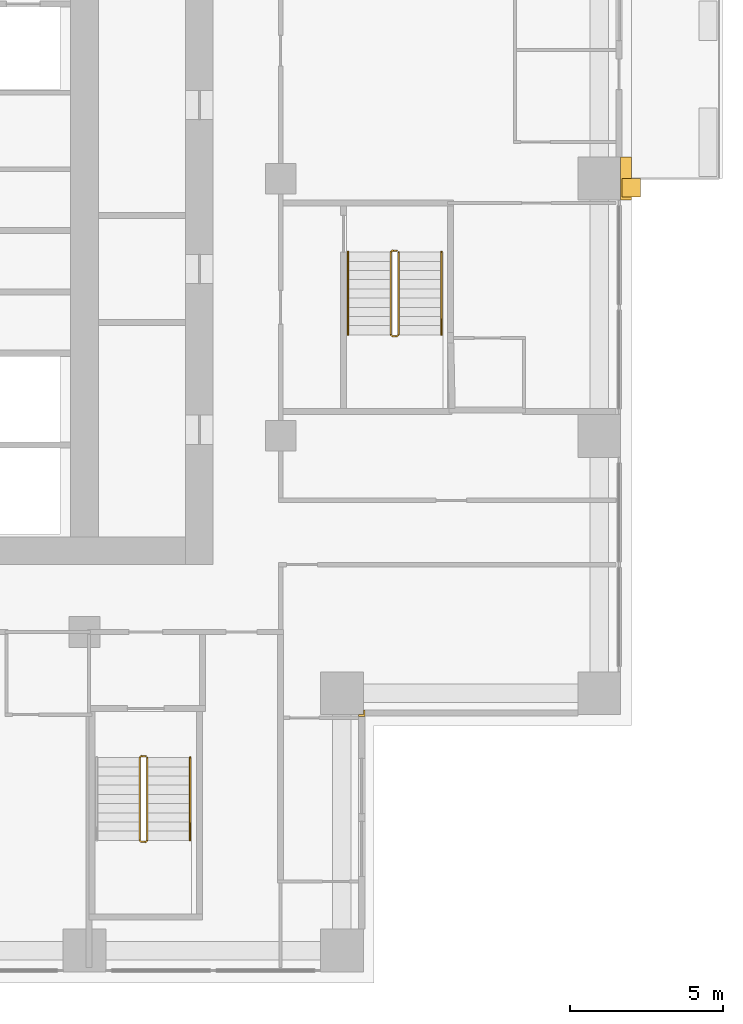
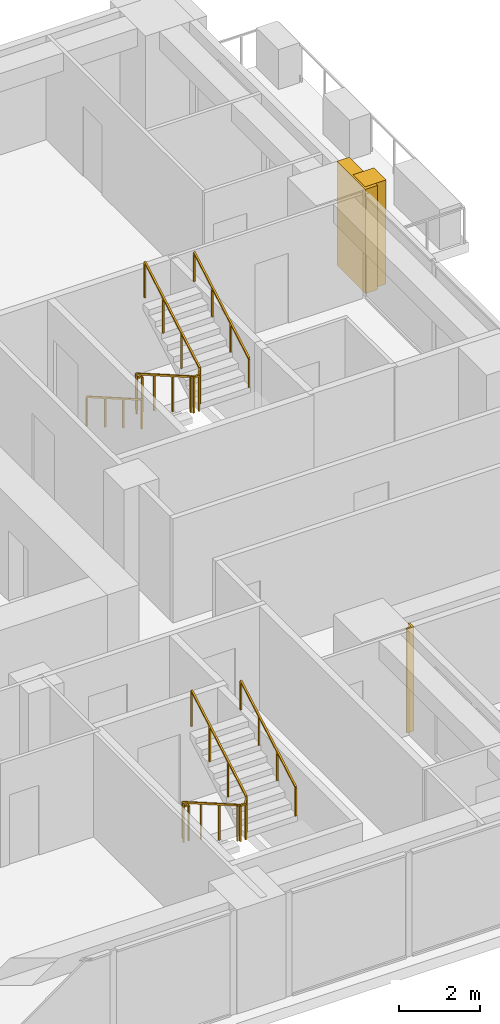
# One storey, part 14 of 16: 5 railings, 3 coverings.
"""IFC4 building model written with IfcOpenShell, lengths in metres."""

from ifc_helpers import new_model, si_unit, direction, frame, origin, origin_2d, place, context, subcontext, project, spatial, polyline, rectangle, outline, extrude, material, type_object, element, save


model = new_model("IFC4")

# Units and contexts
model_context = context("Model", 3, precision=1e-05, world=origin(), true_north=direction((0.0, 1.0)))
body_context = subcontext(model_context, "Body", "Model", "MODEL_VIEW")
ifc_project = project(units=[si_unit("LENGTHUNIT", "METRE"), si_unit("AREAUNIT", "SQUARE_METRE"), si_unit("VOLUMEUNIT", "CUBIC_METRE"), si_unit("PLANEANGLEUNIT", "RADIAN"), si_unit("MASSUNIT", "GRAM", prefix="KILO")], contexts=[model_context])

# Site, building, storey
site_placement = place(None, origin())
site = spatial("IfcSite", under=ifc_project, at=site_placement, CompositionType="ELEMENT")
building_placement = place(site_placement, origin())
building = spatial("IfcBuilding", under=site, at=building_placement, Name="Vermilion Ogive Tower", CompositionType="ELEMENT")
storey_placement = place(building_placement, frame((0.0, 0.0, 41.39990234375)))
storey = spatial("IfcBuildingStorey", under=building, at=storey_placement, Name="L08", CompositionType="ELEMENT", Elevation=41.39990234375)

# Railings
ifc_material_1 = material(Name="Steel S355 painted", Category="steel")
railing_type_1 = type_object("IfcRailingType", Name="Stair guard 1100", PredefinedType="GUARDRAIL", material=ifc_material_1)
railing_1_placement = place(storey_placement, frame((10.39990234375, -14.64990234375, 0.0)))
element("IfcRailing", 1, at=railing_1_placement, inside=storey, type_object=railing_type_1, Name="L08 ST5 stair guard 4", PredefinedType="GUARDRAIL", context=body_context, shape_type="SweptSolid", body=[
    extrude(rectangle(XDim=0.048095703125, YDim=0.048095703125, at=origin_2d()), frame((0.0, 0.0, 1.076171875), z_axis=(-1.0, 0.0, 0.0), x_axis=(0.0, -1.0, 0.0)), (0.0, 0.0, 1.0), 0.14990234375),
    extrude(rectangle(XDim=0.048095703125, YDim=0.048095703125, at=origin_2d()), frame((-0.14990234375, 0.0, 1.076171875), z_axis=(-0.268277960024, -0.268277960024, 0.925231793839), x_axis=(0.707106781187, -0.707106781187, 0.0)), (0.0, 0.0, 1.0), 0.1865234375),
    extrude(rectangle(XDim=0.048095703125, YDim=0.048095703125, at=origin_2d()), frame((-0.199951171875, -0.050048828125, 1.24853515625), z_axis=(0.0, -0.866903762492, 0.498475542607), x_axis=(1.0, 0.0, 0.0)), (0.0, 0.0, 1.0), 3.114501953125),
    extrude(rectangle(XDim=0.048095703125, YDim=0.048095703125, at=origin_2d()), frame((-0.199951171875, -2.75, 2.80126953125), z_axis=(0.707106781187, -0.707106781187, 0.0), x_axis=(0.707106781187, 0.707106781187, 0.0)), (0.0, 0.0, 1.0), 0.07080078125),
    extrude(rectangle(XDim=0.048095703125, YDim=0.048095703125, at=origin_2d()), frame((-0.14990234375, -2.800048828125, 2.80126953125), z_axis=(1.0, 0.0, 0.0), x_axis=(0.0, 1.0, 0.0)), (0.0, 0.0, 1.0), 0.14990234375),
    extrude(rectangle(XDim=0.048095703125, YDim=0.048095703125, at=origin_2d()), frame((0.0, -2.800048828125, 2.80126953125), z_axis=(0.268277960024, 0.268277960024, 0.925231793839), x_axis=(-0.707106781187, 0.707106781187, 0.0)), (0.0, 0.0, 1.0), 0.1865234375),
    extrude(rectangle(XDim=0.048095703125, YDim=0.048095703125, at=origin_2d()), frame((0.050048828125, -2.75, 2.9736328125), z_axis=(0.0, 0.866903762492, 0.498475542607), x_axis=(-1.0, 0.0, 0.0)), (0.0, 0.0, 1.0), 3.114501953125),
    extrude(rectangle(XDim=0.0419921875, YDim=0.0419921875, at=origin_2d()), origin(), (0.0, 0.0, 1.0), 1.052001953125),
    extrude(rectangle(XDim=0.0419921875, YDim=0.0419921875, at=origin_2d()), frame((-0.14990234375, 0.0, 0.0)), (0.0, 0.0, 1.0), 1.052001953125),
    extrude(rectangle(XDim=0.0419921875, YDim=0.0419921875, at=origin_2d()), frame((-0.199951171875, -0.050048828125, 0.172607421875)), (0.0, 0.0, 1.0), 1.052001953125),
    extrude(rectangle(XDim=0.0419921875, YDim=0.0419921875, at=origin_2d()), frame((-0.199951171875, -0.949951171875, 0.690185546875)), (0.0, 0.0, 1.0), 1.052001953125),
    extrude(rectangle(XDim=0.0419921875, YDim=0.0419921875, at=origin_2d()), frame((-0.199951171875, -1.85009765625, 1.20751953125)), (0.0, 0.0, 1.0), 1.052001953125),
    extrude(rectangle(XDim=0.0419921875, YDim=0.0419921875, at=origin_2d()), frame((-0.199951171875, -2.75, 1.72509765625)), (0.0, 0.0, 1.0), 1.052001953125),
    extrude(rectangle(XDim=0.0419921875, YDim=0.0419921875, at=origin_2d()), frame((-0.14990234375, -2.800048828125, 1.72509765625)), (0.0, 0.0, 1.0), 1.052001953125),
    extrude(rectangle(XDim=0.0419921875, YDim=0.0419921875, at=origin_2d()), frame((0.0, -2.800048828125, 1.72509765625)), (0.0, 0.0, 1.0), 1.052001953125),
    extrude(rectangle(XDim=0.0419921875, YDim=0.0419921875, at=origin_2d()), frame((0.050048828125, -2.75, 1.897705078125)), (0.0, 0.0, 1.0), 1.052001953125),
    extrude(rectangle(XDim=0.0419921875, YDim=0.0419921875, at=origin_2d()), frame((0.050048828125, -1.85009765625, 2.415283203125)), (0.0, 0.0, 1.0), 1.052001953125),
    extrude(rectangle(XDim=0.0419921875, YDim=0.0419921875, at=origin_2d()), frame((0.050048828125, -0.949951171875, 2.9326171875)), (0.0, 0.0, 1.0), 1.052001953125),
    extrude(rectangle(XDim=0.0419921875, YDim=0.0419921875, at=origin_2d()), frame((0.050048828125, -0.050048828125, 3.4501953125)), (0.0, 0.0, 1.0), 1.052001953125),
])
railing_2_placement = place(storey_placement, frame((18.60009765625, 1.85009765625, 0.0)))
element("IfcRailing", 2, at=railing_2_placement, inside=storey, type_object=railing_type_1, Name="L08 ST8 stair guard 4", PredefinedType="GUARDRAIL", context=body_context, shape_type="SweptSolid", body=[
    extrude(rectangle(XDim=0.048095703125, YDim=0.048095703125, at=origin_2d()), frame((0.0, 0.0, 1.076171875), z_axis=(-1.0, 0.0, 0.0), x_axis=(0.0, -1.0, 0.0)), (0.0, 0.0, 1.0), 0.150146484375),
    extrude(rectangle(XDim=0.048095703125, YDim=0.048095703125, at=origin_2d()), frame((-0.150146484375, 0.0, 1.076171875), z_axis=(-0.268277960024, -0.268277960024, 0.925231793839), x_axis=(0.707106781187, -0.707106781187, 0.0)), (0.0, 0.0, 1.0), 0.1865234375),
    extrude(rectangle(XDim=0.048095703125, YDim=0.048095703125, at=origin_2d()), frame((-0.2001953125, -0.050048828125, 1.24853515625), z_axis=(0.0, -0.866903762492, 0.498475542607), x_axis=(1.0, 0.0, 0.0)), (0.0, 0.0, 1.0), 3.114501953125),
    extrude(rectangle(XDim=0.048095703125, YDim=0.048095703125, at=origin_2d()), frame((-0.2001953125, -2.75, 2.80126953125), z_axis=(0.707106781187, -0.707106781187, 0.0), x_axis=(0.707106781187, 0.707106781187, 0.0)), (0.0, 0.0, 1.0), 0.07080078125),
    extrude(rectangle(XDim=0.048095703125, YDim=0.048095703125, at=origin_2d()), frame((-0.150146484375, -2.800048828125, 2.80126953125), z_axis=(1.0, 0.0, 0.0), x_axis=(0.0, 1.0, 0.0)), (0.0, 0.0, 1.0), 0.150146484375),
    extrude(rectangle(XDim=0.048095703125, YDim=0.048095703125, at=origin_2d()), frame((0.0, -2.800048828125, 2.80126953125), z_axis=(0.267062837333, 0.268371968888, 0.925556009775), x_axis=(-0.708833529934, 0.705375805398, 0.0)), (0.0, 0.0, 1.0), 0.1865234375),
    extrude(rectangle(XDim=0.048095703125, YDim=0.048095703125, at=origin_2d()), frame((0.0498046875, -2.75, 2.9736328125), z_axis=(0.0, 0.866903762492, 0.498475542607), x_axis=(-1.0, 0.0, 0.0)), (0.0, 0.0, 1.0), 3.114501953125),
    extrude(rectangle(XDim=0.0419921875, YDim=0.0419921875, at=origin_2d()), origin(), (0.0, 0.0, 1.0), 1.052001953125),
    extrude(rectangle(XDim=0.0419921875, YDim=0.0419921875, at=origin_2d()), frame((-0.150146484375, 0.0, 0.0)), (0.0, 0.0, 1.0), 1.052001953125),
    extrude(rectangle(XDim=0.0419921875, YDim=0.0419921875, at=origin_2d()), frame((-0.2001953125, -0.050048828125, 0.172607421875)), (0.0, 0.0, 1.0), 1.052001953125),
    extrude(rectangle(XDim=0.0419921875, YDim=0.0419921875, at=origin_2d()), frame((-0.2001953125, -0.949951171875, 0.690185546875)), (0.0, 0.0, 1.0), 1.052001953125),
    extrude(rectangle(XDim=0.0419921875, YDim=0.0419921875, at=origin_2d()), frame((-0.2001953125, -1.85009765625, 1.20751953125)), (0.0, 0.0, 1.0), 1.052001953125),
    extrude(rectangle(XDim=0.0419921875, YDim=0.0419921875, at=origin_2d()), frame((-0.2001953125, -2.75, 1.72509765625)), (0.0, 0.0, 1.0), 1.052001953125),
    extrude(rectangle(XDim=0.0419921875, YDim=0.0419921875, at=origin_2d()), frame((-0.150146484375, -2.800048828125, 1.72509765625)), (0.0, 0.0, 1.0), 1.052001953125),
    extrude(rectangle(XDim=0.0419921875, YDim=0.0419921875, at=origin_2d()), frame((0.0, -2.800048828125, 1.72509765625)), (0.0, 0.0, 1.0), 1.052001953125),
    extrude(rectangle(XDim=0.0419921875, YDim=0.0419921875, at=origin_2d()), frame((0.0498046875, -2.75, 1.897705078125)), (0.0, 0.0, 1.0), 1.052001953125),
    extrude(rectangle(XDim=0.0419921875, YDim=0.0419921875, at=origin_2d()), frame((0.0498046875, -1.85009765625, 2.415283203125)), (0.0, 0.0, 1.0), 1.052001953125),
    extrude(rectangle(XDim=0.0419921875, YDim=0.0419921875, at=origin_2d()), frame((0.0498046875, -0.949951171875, 2.9326171875)), (0.0, 0.0, 1.0), 1.052001953125),
    extrude(rectangle(XDim=0.0419921875, YDim=0.0419921875, at=origin_2d()), frame((0.0498046875, -0.050048828125, 3.4501953125)), (0.0, 0.0, 1.0), 1.052001953125),
])
ifc_material_2 = material(Name="Stainless steel", Category="steel")
railing_type_2 = type_object("IfcRailingType", Name="Stair handrail 900", PredefinedType="HANDRAIL", material=ifc_material_2)
railing_3_placement = place(storey_placement, frame((11.85009765625, -17.39990234375, 1.897705078125)))
element("IfcRailing", 3, at=railing_3_placement, inside=storey, type_object=railing_type_2, Name="L08 ST5 stair handrail 2", PredefinedType="HANDRAIL", context=body_context, shape_type="SweptSolid", body=[
    extrude(rectangle(XDim=0.048095703125, YDim=0.048095703125, at=origin_2d()), frame((0.0, 0.0, 0.8759765625), z_axis=(0.0, 0.866903762492, 0.498475542607), x_axis=(-1.0, 0.0, 0.0)), (0.0, 0.0, 1.0), 3.114501953125),
    extrude(rectangle(XDim=0.0419921875, YDim=0.0419921875, at=origin_2d()), origin(), (0.0, 0.0, 1.0), 0.851806640625),
    extrude(rectangle(XDim=0.0419921875, YDim=0.0419921875, at=origin_2d()), frame((0.0, 0.89990234375, 0.517578125)), (0.0, 0.0, 1.0), 0.851806640625),
    extrude(rectangle(XDim=0.0419921875, YDim=0.0419921875, at=origin_2d()), frame((0.0, 1.800048828125, 1.034912109375)), (0.0, 0.0, 1.0), 0.851806640625),
    extrude(rectangle(XDim=0.0419921875, YDim=0.0419921875, at=origin_2d()), frame((0.0, 2.699951171875, 1.552490234375)), (0.0, 0.0, 1.0), 0.851806640625),
])
railing_4_placement = place(storey_placement, frame((17.0, 1.800048828125, 0.172607421875)))
element("IfcRailing", 4, at=railing_4_placement, inside=storey, type_object=railing_type_2, Name="L08 ST8 stair handrail 1", PredefinedType="HANDRAIL", context=body_context, shape_type="SweptSolid", body=[
    extrude(rectangle(XDim=0.048095703125, YDim=0.048095703125, at=origin_2d()), frame((0.0, 0.0, 0.8759765625), z_axis=(0.0, -0.866903762492, 0.498475542607), x_axis=(1.0, 0.0, 0.0)), (0.0, 0.0, 1.0), 3.114501953125),
    extrude(rectangle(XDim=0.0419921875, YDim=0.0419921875, at=origin_2d()), origin(), (0.0, 0.0, 1.0), 0.851806640625),
    extrude(rectangle(XDim=0.0419921875, YDim=0.0419921875, at=origin_2d()), frame((0.0, -0.89990234375, 0.517578125)), (0.0, 0.0, 1.0), 0.851806640625),
    extrude(rectangle(XDim=0.0419921875, YDim=0.0419921875, at=origin_2d()), frame((0.0, -1.800048828125, 1.034912109375)), (0.0, 0.0, 1.0), 0.851806640625),
    extrude(rectangle(XDim=0.0419921875, YDim=0.0419921875, at=origin_2d()), frame((0.0, -2.699951171875, 1.552490234375)), (0.0, 0.0, 1.0), 0.851806640625),
])
railing_5_placement = place(storey_placement, frame((20.050048828125, -0.89990234375, 1.897705078125)))
element("IfcRailing", 5, at=railing_5_placement, inside=storey, type_object=railing_type_2, Name="L08 ST8 stair handrail 2", PredefinedType="HANDRAIL", context=body_context, shape_type="SweptSolid", body=[
    extrude(rectangle(XDim=0.048095703125, YDim=0.048095703125, at=origin_2d()), frame((0.0, 0.0, 0.8759765625), z_axis=(0.0, 0.866903762492, 0.498475542607), x_axis=(-1.0, 0.0, 0.0)), (0.0, 0.0, 1.0), 3.114501953125),
    extrude(rectangle(XDim=0.0419921875, YDim=0.0419921875, at=origin_2d()), origin(), (0.0, 0.0, 1.0), 0.851806640625),
    extrude(rectangle(XDim=0.0419921875, YDim=0.0419921875, at=origin_2d()), frame((0.0, 0.89990234375, 0.517578125)), (0.0, 0.0, 1.0), 0.851806640625),
    extrude(rectangle(XDim=0.0419921875, YDim=0.0419921875, at=origin_2d()), frame((0.0, 1.800048828125, 1.034912109375)), (0.0, 0.0, 1.0), 0.851806640625),
    extrude(rectangle(XDim=0.0419921875, YDim=0.0419921875, at=origin_2d()), frame((0.0, 2.699951171875, 1.552490234375)), (0.0, 0.0, 1.0), 0.851806640625),
])

# Coverings
ifc_material_3 = material(Name="Stone cladding", Category="masonry")
covering_type_1 = type_object("IfcCoveringType", Name="Stone corner buttress", PredefinedType="CLADDING", material=ifc_material_3)
covering_1_placement = place(storey_placement, origin())
element("IfcCovering", 6, at=covering_1_placement, inside=storey, type_object=covering_type_1, Name="Stone crease pier EK", PredefinedType="CLADDING", context=body_context, shape_type="SweptSolid", body=[
    extrude(outline(polyline([(26.550048828125, 3.60009765625), (26.550048828125, 4.199951171875), (25.949951171875, 4.199951171875), (25.949951171875, 3.60009765625), (26.550048828125, 3.60009765625)])), origin(), (0.0, 0.0, 1.0), 3.130126953125),
])
ifc_material_4 = material(Name="Stone cladding", Category="masonry")
covering_type_2 = type_object("IfcCoveringType", Name="Stone pier", PredefinedType="CLADDING", material=ifc_material_4)
covering_2_placement = place(storey_placement, origin())
element("IfcCovering", 7, at=covering_2_placement, inside=storey, type_object=covering_type_2, Name="Stone corner pier X1E1", PredefinedType="CLADDING", context=body_context, shape_type="SweptSolid", body=[
    extrude(outline(polyline([(17.35009765625, -13.300048828125), (17.5, -13.300048828125), (17.5, -13.14990234375), (17.550048828125, -13.14990234375), (17.550048828125, -13.35009765625), (17.35009765625, -13.35009765625), (17.35009765625, -13.300048828125)])), origin(), (0.0, 0.0, 1.0), 3.130126953125),
])
covering_3_placement = place(storey_placement, origin())
element("IfcCovering", 8, at=covering_3_placement, inside=storey, type_object=covering_type_2, Name="Stone pier P+0252+042", PredefinedType="CLADDING", context=body_context, shape_type="SweptSolid", body=[
    extrude(outline(polyline([(26.25, 4.89990234375), (26.25, 4.199951171875), (25.949951171875, 4.199951171875), (25.949951171875, 3.60009765625), (26.25, 3.60009765625), (26.25, 3.5), (25.89990234375, 3.5), (25.89990234375, 4.89990234375), (26.25, 4.89990234375)])), origin(), (0.0, 0.0, 1.0), 3.130126953125),
])

save(model, "model.ifc")
